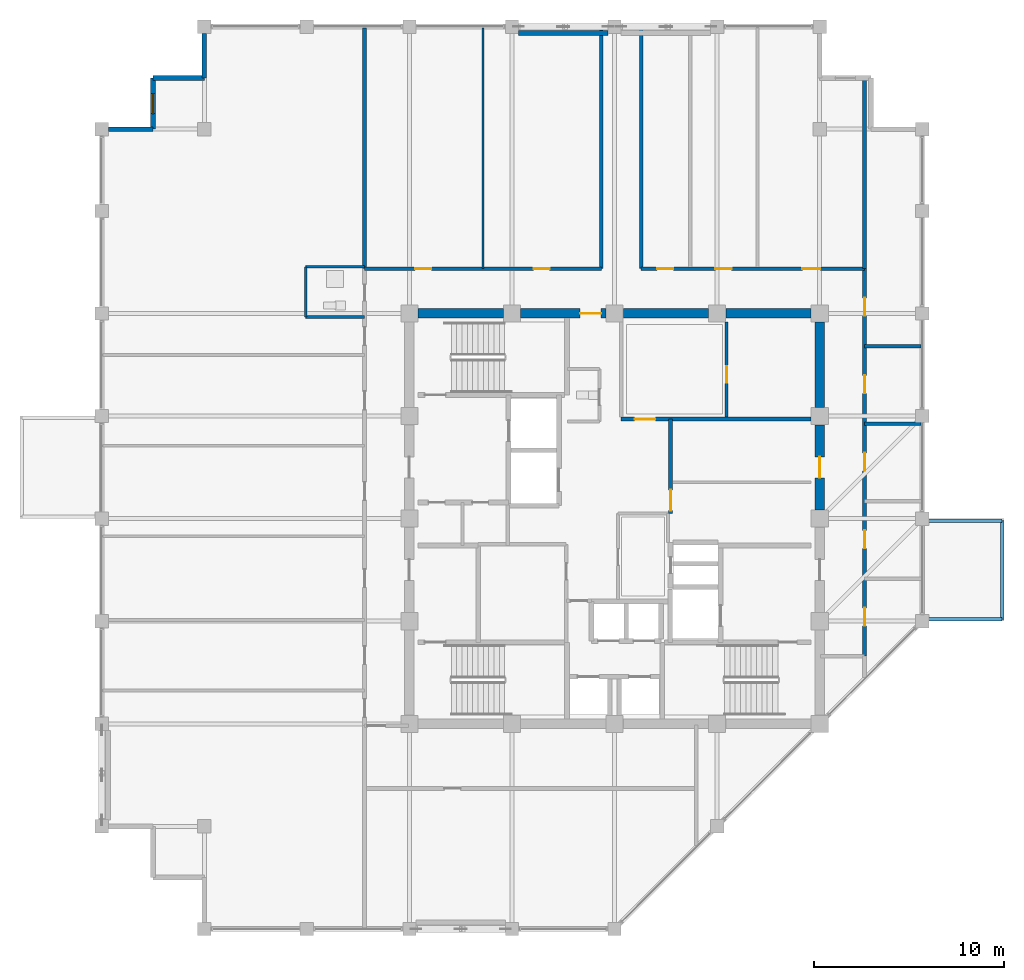
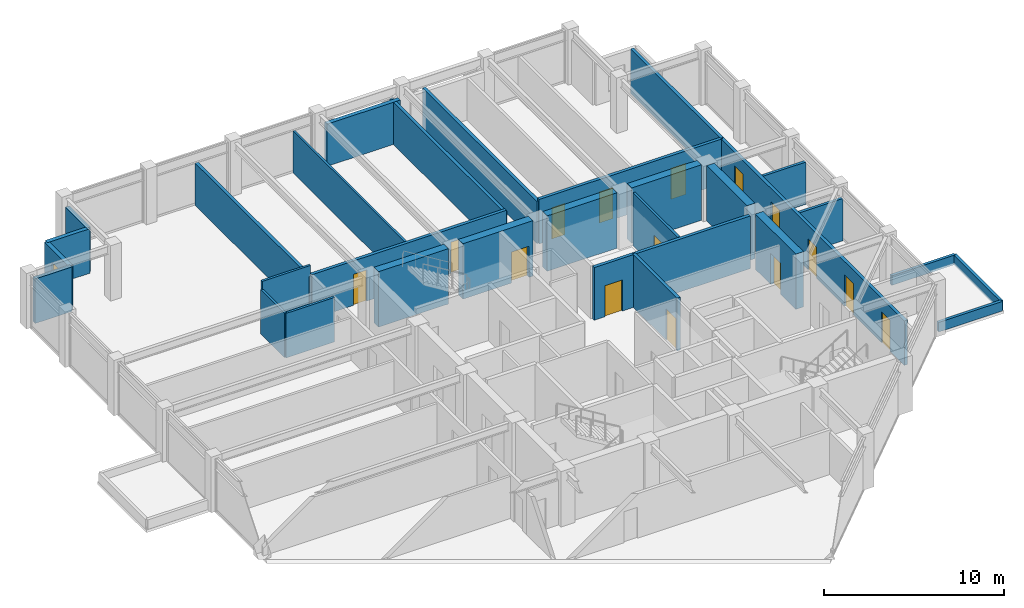
# One storey, part 26 of 29: 30 walls, 15 doors, 1 window, 16 openings.
"""IFC4 building model written with IfcOpenShell, lengths in metres."""

import ifcopenshell
import ifcopenshell.guid

model = None  # the IFC model being written
_history = None  # IfcOwnerHistory: only IFC2X3 demands one
_inside = {}  # id of a spatial element -> (the spatial element, [elements in it])
_under = {}  # id of a project, library or spatial element -> (it, [spatial elements below it])
_declared = {}  # id of a project -> (the project, [libraries it declares])
_typed = {}  # id of a type object -> (the type object, [elements of that type])
_made_of = {}  # id of a material, layer set ... -> (it, [elements and type objects made of it])


def new_model(schema):
    """Start an empty IFC model of exactly this schema.

    Asked for "IFC4X3", IfcOpenShell would pick the latest addendum, in which some entities
    have other attributes; the version numbers below select the first issue.
    IFC2X3 requires an IfcOwnerHistory on every rooted entity: one is made here for all.
    """
    global model, _history
    if schema == "IFC4X3":
        model = ifcopenshell.file(schema_version=(4, 3, 0, 0))
    else:
        model = ifcopenshell.file(schema=schema)
    _inside.clear()
    _under.clear()
    _declared.clear()
    _typed.clear()
    _made_of.clear()
    _history = None
    if model.schema == "IFC2X3":
        org = make("IfcOrganization", Name="unknown")
        user = make(
            "IfcPersonAndOrganization",
            ThePerson=make("IfcPerson", FamilyName="unknown"),
            TheOrganization=org,
        )
        app = make(
            "IfcApplication",
            ApplicationDeveloper=org,
            Version="unknown",
            ApplicationFullName="unknown",
            ApplicationIdentifier="unknown",
        )
        _history = make(
            "IfcOwnerHistory",
            OwningUser=user,
            OwningApplication=app,
            ChangeAction="ADDED",
            CreationDate=0,
        )
    return model


def make(cls, **values):
    """One entity of the class cls with the attributes given. An attribute that is None is left unset."""
    return model.create_entity(
        cls, **{name: value for name, value in values.items() if value is not None}
    )


def rooted(cls, **values):
    """An entity with a GlobalId (a new one), such as an element, a storey or a relation."""
    return make(cls, GlobalId=ifcopenshell.guid.new(), OwnerHistory=_history, **values)


def si_unit(unit_type, name, prefix=None):
    """IfcSIUnit, for example si_unit("LENGTHUNIT", "METRE", prefix="MILLI")."""
    return make("IfcSIUnit", UnitType=unit_type, Prefix=prefix, Name=name)


def assignment(units):
    """IfcUnitAssignment: the units of a project."""
    return None if units is None else make("IfcUnitAssignment", Units=units)


def point(xyz):
    """IfcCartesianPoint."""
    return None if xyz is None else make("IfcCartesianPoint", Coordinates=xyz)


def direction(xyz):
    """IfcDirection."""
    return None if xyz is None else make("IfcDirection", DirectionRatios=xyz)


def frame(location, z_axis=None, x_axis=None):
    """IfcAxis2Placement3D, a coordinate frame: its origin and axes. An axis left out is left unset."""
    return make(
        "IfcAxis2Placement3D",
        Location=point(location),
        Axis=direction(z_axis),
        RefDirection=direction(x_axis),
    )


def frame_2d(location, x_axis=None):
    """IfcAxis2Placement2D, a coordinate frame in the plane: its origin and x axis."""
    return make(
        "IfcAxis2Placement2D", Location=point(location), RefDirection=direction(x_axis)
    )


def origin():
    """The frame at (0, 0, 0) with its axes left unset."""
    return frame((0.0, 0.0, 0.0))


def place(relative_to, where):
    """IfcLocalPlacement: puts the frame where relative to a parent placement (None: the world)."""
    return make(
        "IfcLocalPlacement", PlacementRelTo=relative_to, RelativePlacement=where
    )


def context(
    kind, dimensions, precision=None, world=None, true_north=None, identifier=None
):
    """IfcGeometricRepresentationContext, for example the 3D "Model" context."""
    return make(
        "IfcGeometricRepresentationContext",
        ContextIdentifier=identifier,
        ContextType=kind,
        CoordinateSpaceDimension=dimensions,
        Precision=precision,
        WorldCoordinateSystem=world,
        TrueNorth=true_north,
    )


def subcontext(parent, identifier, kind, view, scale=None):
    """IfcGeometricRepresentationSubContext, for example "Body" below "Model"."""
    return make(
        "IfcGeometricRepresentationSubContext",
        ContextIdentifier=identifier,
        ContextType=kind,
        ParentContext=parent,
        TargetScale=scale,
        TargetView=view,
    )


def project(units=None, contexts=None):
    """IfcProject with its units and contexts."""
    return rooted(
        "IfcProject",
        Name="project",
        RepresentationContexts=contexts,
        UnitsInContext=assignment(units),
    )


def spatial(cls, under=None, at=None, **own):
    """A site, building, storey or space (cls), placed at a placement, below another one or the project."""
    s = rooted(cls, ObjectPlacement=at, **own)
    if under is not None:
        _under.setdefault(under.id(), (under, []))[1].append(s)
    return s


def profile(cls, at=None, kind="AREA", **sizes):
    """A parametric profile (cls). Its sizes go by their IFC names, for example OverallWidth=200.0."""
    return make(cls, ProfileType=kind, Position=at, **sizes)


def rectangle(**sizes):
    """IfcRectangleProfileDef."""
    return profile("IfcRectangleProfileDef", **sizes)


def extrude(swept, where, along, depth):
    """IfcExtrudedAreaSolid: the profile swept, set in the frame where, extruded along a direction by depth."""
    return make(
        "IfcExtrudedAreaSolid",
        SweptArea=swept,
        Position=where,
        ExtrudedDirection=direction(along),
        Depth=depth,
    )


def shape(context_of_items, identifier, shape_type, items):
    """IfcShapeRepresentation: the items that make up one representation, for example the "Body"."""
    return make(
        "IfcShapeRepresentation",
        ContextOfItems=context_of_items,
        RepresentationIdentifier=identifier,
        RepresentationType=shape_type,
        Items=items,
    )


def material(Name=None, Category=None):
    """IfcMaterial."""
    return make("IfcMaterial", Name=Name, Category=Category)


def layer(
    of_material, thickness, ventilated=None, Name=None, Category=None, Priority=None
):
    """IfcMaterialLayer: one layer of a wall or slab, of a material (None: an air gap)."""
    return make(
        "IfcMaterialLayer",
        Material=of_material,
        LayerThickness=thickness,
        IsVentilated=ventilated,
        Name=Name,
        Category=Category,
        Priority=Priority,
    )


def layer_set(layers, Name=None):
    """IfcMaterialLayerSet."""
    return make("IfcMaterialLayerSet", MaterialLayers=layers, LayerSetName=Name)


def made_of(thing, what):
    """Note that an element or type object is made of a material, layer set ...; save() writes the relation."""
    if what is not None:
        _made_of.setdefault(what.id(), (what, []))[1].append(thing)
    return thing


def type_object(cls, material=None, **own):
    """A type object (cls), such as IfcWallType, which elements share."""
    return made_of(rooted(cls, **own), material)


def element(
    cls,
    number,
    at=None,
    inside=None,
    cuts=None,
    type_object=None,
    material=None,
    context=None,
    identifier="Body",
    shape_type=None,
    held_by="IfcProductDefinitionShape",
    body=None,
    shapes=None,
    **own,
):
    """One element of the class cls, such as IfcWall. Its Tag is "e" and its number.

    at: its placement. inside: the storey or other place that contains it. cuts: it is an
    opening in that element (IfcRelVoidsElement). A single representation is given by context,
    identifier, shape_type and body (its items); several are given by shapes. held_by: the class
    of the entity that holds the representations. save() writes the other relations.
    """
    e = rooted(cls, Tag="e%d" % number, ObjectPlacement=at, **own)
    if body is not None:
        shapes = [shape(context, identifier, shape_type, body)]
    if shapes is not None:
        e.Representation = make(held_by, Representations=shapes)
    if inside is not None:
        _inside.setdefault(inside.id(), (inside, []))[1].append(e)
    if cuts is not None:
        rooted(
            "IfcRelVoidsElement", RelatingBuildingElement=cuts, RelatedOpeningElement=e
        )
    if type_object is not None:
        _typed.setdefault(type_object.id(), (type_object, []))[1].append(e)
    return made_of(e, material)


def fill(opening, filler):
    """IfcRelFillsElement: the door or window that sits in an opening."""
    return rooted(
        "IfcRelFillsElement",
        RelatingOpeningElement=opening,
        RelatedBuildingElement=filler,
    )


def aggregate(whole, parts):
    """IfcRelAggregates: a whole, such as a stair, and the parts it consists of."""
    return rooted("IfcRelAggregates", RelatingObject=whole, RelatedObjects=parts)


def save(model, path):
    """Write the relations noted so far, then the file.

    IfcRelAggregates (storeys below a building ...), IfcRelContainedInSpatialStructure (elements
    in a storey), IfcRelDefinesByType, IfcRelAssociatesMaterial and IfcRelDeclares: one each for
    every whole, place, type object, material and project.
    """
    for whole, parts in _under.values():
        aggregate(whole, parts)
    for where, things in _inside.values():
        rooted(
            "IfcRelContainedInSpatialStructure",
            RelatedElements=things,
            RelatingStructure=where,
        )
    for kind, things in _typed.values():
        rooted("IfcRelDefinesByType", RelatedObjects=things, RelatingType=kind)
    for what, things in _made_of.values():
        rooted("IfcRelAssociatesMaterial", RelatedObjects=things, RelatingMaterial=what)
    for by, libraries in _declared.values():
        rooted("IfcRelDeclares", RelatingContext=by, RelatedDefinitions=libraries)
    model.write(path)


model = new_model("IFC4")

# Units and contexts
model_context = context("Model", 3, precision=1e-05, world=origin(), true_north=direction((0.0, 1.0)))
body_context = subcontext(model_context, "Body", "Model", "MODEL_VIEW")
ifc_project = project(units=[si_unit("LENGTHUNIT", "METRE"), si_unit("AREAUNIT", "SQUARE_METRE"), si_unit("VOLUMEUNIT", "CUBIC_METRE"), si_unit("PLANEANGLEUNIT", "RADIAN"), si_unit("MASSUNIT", "GRAM", prefix="KILO")], contexts=[model_context])

# Site, building, storey
site_placement = place(None, origin())
site = spatial("IfcSite", under=ifc_project, at=site_placement, CompositionType="ELEMENT")
building_placement = place(site_placement, origin())
building = spatial("IfcBuilding", under=site, at=building_placement, Name="Surkhivell Harbour Commons", CompositionType="ELEMENT")
storey_placement = place(building_placement, frame((0.0, 0.0, 326.25)))
storey = spatial("IfcBuildingStorey", under=building, at=storey_placement, Name="L85", CompositionType="ELEMENT", Elevation=326.25)

# Wall
ifc_material_1 = material(Name="Concrete C50/60", Category="concrete")
ifc_layer_1 = layer(ifc_material_1, 0.5)
ifc_layer_set_1 = layer_set([ifc_layer_1], Name="Concrete C50/60")
wall_type_1 = type_object("IfcWallType", Name="WAL-CORE-500", PredefinedType="SHEAR", material=ifc_layer_set_1)
wall_1_placement = place(storey_placement, frame((-10.340087890625, 10.800048828125, 0.0), z_axis=(0.0, 0.0, 1.0), x_axis=(1.0, 0.0, 0.0)))
element("IfcWall", 1, at=wall_1_placement, inside=storey, type_object=wall_type_1, Name="L85 Core Shear Wall North 1", PredefinedType="SHEAR", context=body_context, shape_type="SweptSolid", body=[
    extrude(rectangle(XDim=4.47998046875, YDim=0.5, at=frame_2d((2.239990234375, 0.0))), origin(), (0.0, 0.0, 1.0), 3.75),
])

# Wall, opening, door
wall_2_placement = place(storey_placement, frame((-4.93994140625, 10.800048828125, 0.0), z_axis=(0.0, 0.0, 1.0), x_axis=(1.0, 0.0, 0.0)))
wall_2 = element("IfcWall", 2, at=wall_2_placement, inside=storey, type_object=wall_type_1, Name="L85 Core Shear Wall North 2", PredefinedType="SHEAR", context=body_context, shape_type="SweptSolid", body=[
    extrude(rectangle(XDim=4.47998046875, YDim=0.5, at=frame_2d((2.239990234375, 0.0))), origin(), (0.0, 0.0, 1.0), 3.75),
])
opening_1_placement = place(wall_2_placement, frame((3.1298828125, 0.0, 0.0)))
opening_1 = element("IfcOpeningElement", 3, at=opening_1_placement, cuts=wall_2, Name="Opening ID-2", PredefinedType="OPENING", context=body_context, shape_type="SweptSolid", body=[
    extrude(rectangle(XDim=1.10009765625, YDim=2.10009765625, at=frame_2d((0.550048828125, 1.050048828125))), frame((0.0, 0.260009765625, 0.0), z_axis=(0.0, -1.0, 0.0), x_axis=(1.0, 0.0, 0.0)), (0.0, 0.0, 1.0), 0.52001953125),
])
ifc_material_2 = material(Name="Hardwood-veneered fire-rated door leaf", Category="wood")
door_type_1 = type_object("IfcDoorType", Name="DOR-FD60-1100", OperationType="NOTDEFINED", PredefinedType="DOOR", material=ifc_material_2)
door_1_placement = place(opening_1_placement, origin())
door_1 = element("IfcDoor", 4, at=door_1_placement, inside=storey, type_object=door_type_1, Name="L85 Central Core Lift Hall North Corridor Door", OperationType="SINGLE_SWING_LEFT", OverallHeight=2.10009765625, OverallWidth=1.10009765625, PredefinedType="DOOR", context=body_context, shape_type="SweptSolid", body=[
    extrude(rectangle(XDim=1.10009765625, YDim=2.10009765625, at=frame_2d((0.550048828125, 1.050048828125))), frame((0.0, 0.02490234375, 0.0), z_axis=(0.0, -1.0, 0.0), x_axis=(1.0, 0.0, 0.0)), (0.0, 0.0, 1.0), 0.050048828125),
])
fill(opening_1, door_1)

# Wall
wall_3_placement = place(storey_placement, frame((0.4599609375, 10.800048828125, 0.0), z_axis=(0.0, 0.0, 1.0), x_axis=(1.0, 0.0, 0.0)))
element("IfcWall", 5, at=wall_3_placement, inside=storey, type_object=wall_type_1, Name="L85 Core Shear Wall North 3", PredefinedType="SHEAR", context=body_context, shape_type="SweptSolid", body=[
    extrude(rectangle(XDim=4.47998046875, YDim=0.5, at=frame_2d((2.239990234375, 0.0))), origin(), (0.0, 0.0, 1.0), 3.75),
])

# Wall, opening, door
wall_4_placement = place(storey_placement, frame((10.800048828125, 0.4599609375, 0.0), z_axis=(0.0, 0.0, 1.0), x_axis=(0.0, 1.0, 0.0)))
wall_4 = element("IfcWall", 6, at=wall_4_placement, inside=storey, type_object=wall_type_1, Name="L85 Core Shear Wall East 3", PredefinedType="SHEAR", context=body_context, shape_type="SweptSolid", body=[
    extrude(rectangle(XDim=4.47998046875, YDim=0.5, at=frame_2d((2.239990234375, 0.0))), origin(), (0.0, 0.0, 1.0), 3.75),
])
opening_2_placement = place(wall_4_placement, frame((1.68994140625, 0.0, 0.0)))
opening_2 = element("IfcOpeningElement", 7, at=opening_2_placement, cuts=wall_4, Name="Opening ID-2", PredefinedType="OPENING", context=body_context, shape_type="SweptSolid", body=[
    extrude(rectangle(XDim=1.10009765625, YDim=2.10009765625, at=frame_2d((0.550048828125, 1.050048828125))), frame((0.0, 0.260009765625, 0.0), z_axis=(0.0, -1.0, 0.0), x_axis=(1.0, 0.0, 0.0)), (0.0, 0.0, 1.0), 0.52001953125),
])
door_2_placement = place(opening_2_placement, origin())
door_2 = element("IfcDoor", 8, at=door_2_placement, inside=storey, type_object=door_type_1, Name="L85 Quiet Study B East Door", OperationType="SINGLE_SWING_RIGHT", OverallHeight=2.10009765625, OverallWidth=1.10009765625, PredefinedType="DOOR", context=body_context, shape_type="SweptSolid", body=[
    extrude(rectangle(XDim=1.10009765625, YDim=2.10009765625, at=frame_2d((0.550048828125, 1.050048828125))), frame((0.0, 0.02490234375, 0.0), z_axis=(0.0, -1.0, 0.0), x_axis=(1.0, 0.0, 0.0)), (0.0, 0.0, 1.0), 0.050048828125),
])
fill(opening_2, door_2)

# Walls
for number, where, z_axis, x_axis, name in (
    (9, (5.860107421875, 10.800048828125, 0.0), (0.0, 0.0, 1.0), (1.0, 0.0, 0.0), "L85 Core Shear Wall North 4"),
    (10, (10.800048828125, 5.860107421875, 0.0), (0.0, 0.0, 1.0), (0.0, 1.0, 0.0), "L85 Core Shear Wall East 4"),
):
    element("IfcWall", number, at=place(storey_placement, frame(where, z_axis=z_axis, x_axis=x_axis)), inside=storey, type_object=wall_type_1, Name=name, PredefinedType="SHEAR", context=body_context, shape_type="SweptSolid", body=[
        extrude(rectangle(XDim=4.47998046875, YDim=0.5, at=frame_2d((2.239990234375, 0.0))), origin(), (0.0, 0.0, 1.0), 3.75),
    ])
ifc_material_3 = material(Name="Pale-metal insulated precast concrete C45/55", Category="concrete")
ifc_layer_2 = layer(ifc_material_3, 0.260009765625)
ifc_layer_set_2 = layer_set([ifc_layer_2], Name="Pale-metal insulated precast concrete C45/55")
wall_type_2 = type_object("IfcWallType", Name="WAL-EXT-MTL260", PredefinedType="STANDARD", material=ifc_layer_set_2)
wall_5_placement = place(storey_placement, frame((-0.347900390625, 25.56494140625, 0.0), z_axis=(0.0, 0.0, 1.0), x_axis=(-1.0, 0.0, 0.0)))
element("IfcWall", 11, at=wall_5_placement, inside=storey, type_object=wall_type_2, Name="L85 Braced-Bay Insulated Spandrel Backing N", PredefinedType="STANDARD", context=body_context, shape_type="SweptSolid", body=[
    extrude(rectangle(XDim=4.7041015625, YDim=0.260009765625, at=frame_2d((2.35205078125, 0.0))), origin(), (0.0, 0.0, 1.0), 2.85693359375),
])
wall_6_placement = place(storey_placement, frame((-21.60009765625, 25.552001953125, 0.0), z_axis=(0.0, 0.0, 1.0), x_axis=(0.0, -1.0, 0.0)))
element("IfcWall", 12, at=wall_6_placement, inside=storey, type_object=wall_type_2, Name="L85 Serrated Corner Facade Wall 08", PredefinedType="STANDARD", context=body_context, shape_type="SweptSolid", body=[
    extrude(rectangle(XDim=2.35205078125, YDim=0.260009765625, at=frame_2d((1.176025390625, 0.0))), origin(), (0.0, 0.0, 1.0), 3.012939453125),
])
wall_7_placement = place(storey_placement, frame((-21.60009765625, 23.199951171875, 0.0), z_axis=(0.0, 0.0, 1.0), x_axis=(-1.0, 0.0, 0.0)))
element("IfcWall", 13, at=wall_7_placement, inside=storey, type_object=wall_type_2, Name="L85 Serrated Corner Facade Wall 09", PredefinedType="STANDARD", context=body_context, shape_type="SweptSolid", body=[
    extrude(rectangle(XDim=2.699951171875, YDim=0.260009765625, at=frame_2d((1.35009765625, 0.0))), origin(), (0.0, 0.0, 1.0), 3.012939453125),
])

# Wall, opening, window
wall_8_placement = place(storey_placement, frame((-24.300048828125, 23.199951171875, 0.0), z_axis=(0.0, 0.0, 1.0), x_axis=(0.0, -1.0, 0.0)))
wall_8 = element("IfcWall", 14, at=wall_8_placement, inside=storey, type_object=wall_type_2, Name="L85 Serrated Corner Facade Wall 10", PredefinedType="STANDARD", context=body_context, shape_type="SweptSolid", body=[
    extrude(rectangle(XDim=2.699951171875, YDim=0.260009765625, at=frame_2d((1.35009765625, 0.0))), origin(), (0.0, 0.0, 1.0), 3.012939453125),
])
opening_3_placement = place(wall_8_placement, frame((0.824951171875, 0.0, 0.64990234375)))
opening_3 = element("IfcOpeningElement", 15, at=opening_3_placement, cuts=wall_8, Name="Opening WN-11", PredefinedType="OPENING", context=body_context, shape_type="SweptSolid", body=[
    extrude(rectangle(XDim=1.050048828125, YDim=1.5, at=frame_2d((0.52490234375, 0.75))), frame((0.0, 0.139892578125, 0.0), z_axis=(0.0, -1.0, 0.0), x_axis=(1.0, 0.0, 0.0)), (0.0, 0.0, 1.0), 0.280029296875),
])
ifc_material_4 = material(Name="Thermal-break aluminium frame and double low-E glazing", Category="aluminium")
window_type = type_object("IfcWindowType", Name="WIN-SER-1050x1500", PartitioningType="SINGLE_PANEL", PredefinedType="WINDOW", material=ifc_material_4)
window_placement = place(opening_3_placement, origin())
window = element("IfcWindow", 16, at=window_placement, inside=storey, type_object=window_type, Name="L85 Serrated Alcove Window 10", OverallHeight=1.5, OverallWidth=1.050048828125, PartitioningType="SINGLE_PANEL", PredefinedType="WINDOW", context=body_context, shape_type="SweptSolid", body=[
    extrude(rectangle(XDim=1.050048828125, YDim=1.5, at=frame_2d((0.52490234375, 0.75))), frame((0.0, 0.030029296875, 0.0), z_axis=(0.0, -1.0, 0.0), x_axis=(1.0, 0.0, 0.0)), (0.0, 0.0, 1.0), 0.06005859375),
])
fill(opening_3, window)

# Walls
wall_9_placement = place(storey_placement, frame((-24.300048828125, 20.5, 0.0), z_axis=(0.0, 0.0, 1.0), x_axis=(-1.0, 0.0, 0.0)))
element("IfcWall", 17, at=wall_9_placement, inside=storey, type_object=wall_type_2, Name="L85 Serrated Corner Facade Wall 11", PredefinedType="STANDARD", context=body_context, shape_type="SweptSolid", body=[
    extrude(rectangle(XDim=2.35205078125, YDim=0.260009765625, at=frame_2d((1.176025390625, 0.0))), origin(), (0.0, 0.0, 1.0), 3.012939453125),
])
ifc_material_5 = material(Name="Moisture-resistant acoustic stud partition", Category="other")
ifc_layer_3 = layer(ifc_material_5, 0.125)
ifc_layer_set_3 = layer_set([ifc_layer_3], Name="Moisture-resistant acoustic stud partition")
wall_type_3 = type_object("IfcWallType", Name="WAL-INT-125", PredefinedType="PARTITIONING", material=ifc_layer_set_3)
wall_10_placement = place(storey_placement, frame((-6.929931640625, 13.159912109375, 0.0), z_axis=(0.0, 0.0, 1.0), x_axis=(0.0, 1.0, 0.0)))
element("IfcWall", 18, at=wall_10_placement, inside=storey, type_object=wall_type_3, Name="L85 North-West Partition P1", PredefinedType="PARTITIONING", context=body_context, shape_type="SweptSolid", body=[
    extrude(rectangle(XDim=12.68017578125, YDim=0.125, at=frame_2d((6.340087890625, 0.0))), origin(), (0.0, 0.0, 1.0), 2.85693359375),
])

# Wall, opening, door
ifc_material_6 = material(Name="Twin-stud acoustic fireboard partition", Category="other")
ifc_layer_4 = layer(ifc_material_6, 0.14990234375)
ifc_layer_set_4 = layer_set([ifc_layer_4], Name="Twin-stud acoustic fireboard partition")
wall_type_4 = type_object("IfcWallType", Name="WAL-INT-150", PredefinedType="PARTITIONING", material=ifc_layer_set_4)
wall_11_placement = place(storey_placement, frame((5.89990234375, 5.360107421875, 0.0), z_axis=(0.0, 0.0, 1.0), x_axis=(0.0, 1.0, 0.0)))
wall_11 = element("IfcWall", 19, at=wall_11_placement, inside=storey, type_object=wall_type_4, Name="L85 Study Pod Wall 1", PredefinedType="PARTITIONING", context=body_context, shape_type="SweptSolid", body=[
    extrude(rectangle(XDim=4.97998046875, YDim=0.14990234375, at=frame_2d((2.489990234375, 0.0))), origin(), (0.0, 0.0, 1.0), 3.570068359375),
])
opening_4_placement = place(wall_11_placement, frame((1.800048828125, 0.0, 0.0)))
opening_4 = element("IfcOpeningElement", 20, at=opening_4_placement, cuts=wall_11, Name="Opening ID-6", PredefinedType="OPENING", context=body_context, shape_type="SweptSolid", body=[
    extrude(rectangle(XDim=0.85009765625, YDim=2.10009765625, at=frame_2d((0.425048828125, 1.050048828125))), frame((0.0, 0.0849609375, 0.0), z_axis=(0.0, -1.0, 0.0), x_axis=(1.0, 0.0, 0.0)), (0.0, 0.0, 1.0), 0.169921875),
])
door_type_2 = type_object("IfcDoorType", Name="DOR-FD30-850", OperationType="NOTDEFINED", PredefinedType="DOOR", material=ifc_material_2)
door_3_placement = place(opening_4_placement, origin())
door_3 = element("IfcDoor", 21, at=door_3_placement, inside=storey, type_object=door_type_2, Name="L85 Core Music Door", OperationType="SINGLE_SWING_RIGHT", OverallHeight=2.10009765625, OverallWidth=0.85009765625, PredefinedType="DOOR", context=body_context, shape_type="SweptSolid", body=[
    extrude(rectangle(XDim=0.85009765625, YDim=2.10009765625, at=frame_2d((0.425048828125, 1.050048828125))), frame((0.0, 0.02490234375, 0.0), z_axis=(0.0, -1.0, 0.0), x_axis=(1.0, 0.0, 0.0)), (0.0, 0.0, 1.0), 0.050048828125),
])
fill(opening_4, door_3)

# Walls
wall_12_placement = place(storey_placement, frame((-16.260009765625, 10.610107421875, 0.0), z_axis=(0.0, 0.0, 1.0), x_axis=(0.0, 1.0, 0.0)))
element("IfcWall", 22, at=wall_12_placement, inside=storey, type_object=wall_type_4, Name="L85 West Partition BTHB", PredefinedType="PARTITIONING", context=body_context, shape_type="SweptSolid", body=[
    extrude(rectangle(XDim=2.64990234375, YDim=0.14990234375, at=frame_2d((1.324951171875, 0.0))), origin(), (0.0, 0.0, 1.0), 3.012939453125),
])
wall_13_placement = place(storey_placement, frame((-16.260009765625, 13.260009765625, 0.0), z_axis=(0.0, 0.0, 1.0), x_axis=(1.0, 0.0, 0.0)))
element("IfcWall", 23, at=wall_13_placement, inside=storey, type_object=wall_type_4, Name="L85 West Partition BTHN", PredefinedType="PARTITIONING", context=body_context, shape_type="SweptSolid", body=[
    extrude(rectangle(XDim=3.10009765625, YDim=0.14990234375, at=frame_2d((1.550048828125, 0.0))), origin(), (0.0, 0.0, 1.0), 3.570068359375),
])
wall_14_placement = place(storey_placement, frame((-16.260009765625, 10.610107421875, 0.0), z_axis=(0.0, 0.0, 1.0), x_axis=(1.0, 0.0, 0.0)))
element("IfcWall", 24, at=wall_14_placement, inside=storey, type_object=wall_type_4, Name="L85 West Partition BTHS", PredefinedType="PARTITIONING", context=body_context, shape_type="SweptSolid", body=[
    extrude(rectangle(XDim=3.10009765625, YDim=0.14990234375, at=frame_2d((1.550048828125, 0.0))), origin(), (0.0, 0.0, 1.0), 3.012939453125),
])
ifc_material_7 = material(Name="High-density acoustic blockwork fire partition", Category="masonry")
ifc_layer_5 = layer(ifc_material_7, 0.175048828125)
ifc_layer_set_5 = layer_set([ifc_layer_5], Name="High-density acoustic blockwork fire partition")
wall_type_5 = type_object("IfcWallType", Name="WAL-INT-175", PredefinedType="PARTITIONING", material=ifc_layer_set_5)
for number, where, z_axis, x_axis, name in (
    (25, (13.159912109375, 5.0, 0.0), (0.0, 0.0, 1.0), (1.0, 0.0, 0.0), "L85 East Partition P3"),
    (26, (13.159912109375, 9.080078125, 0.0), (0.0, 0.0, 1.0), (1.0, 0.0, 0.0), "L85 East Partition P4"),
):
    element("IfcWall", number, at=place(storey_placement, frame(where, z_axis=z_axis, x_axis=x_axis)), inside=storey, type_object=wall_type_5, Name=name, PredefinedType="PARTITIONING", context=body_context, shape_type="SweptSolid", body=[
        extrude(rectangle(XDim=2.97998046875, YDim=0.175048828125, at=frame_2d((1.489990234375, 0.0))), origin(), (0.0, 0.0, 1.0), 2.85693359375),
    ])

# Wall, opening, door
ifc_material_8 = material(Name="Autoclaved aerated concrete blockwork and fire plaster", Category="masonry")
ifc_layer_6 = layer(ifc_material_8, 0.199951171875)
ifc_layer_set_6 = layer_set([ifc_layer_6], Name="Autoclaved aerated concrete blockwork and fire plaster")
wall_type_6 = type_object("IfcWallType", Name="WAL-INT-200", PredefinedType="PARTITIONING", material=ifc_layer_set_6)
wall_15_placement = place(storey_placement, frame((0.35009765625, 5.239990234375, 0.0), z_axis=(0.0, 0.0, 1.0), x_axis=(1.0, 0.0, 0.0)))
wall_15 = element("IfcWall", 27, at=wall_15_placement, inside=storey, type_object=wall_type_6, Name="L85 Reclaimed Core North Bay South Wall", PredefinedType="PARTITIONING", context=body_context, shape_type="SweptSolid", body=[
    extrude(rectangle(XDim=9.989990234375, YDim=0.199951171875, at=frame_2d((4.9951171875, 0.0))), origin(), (0.0, 0.0, 1.0), 3.570068359375),
])
opening_5_placement = place(wall_15_placement, frame((0.699951171875, 0.0, 0.0)))
opening_5 = element("IfcOpeningElement", 28, at=opening_5_placement, cuts=wall_15, Name="Opening ID-2", PredefinedType="OPENING", context=body_context, shape_type="SweptSolid", body=[
    extrude(rectangle(XDim=1.10009765625, YDim=2.10009765625, at=frame_2d((0.550048828125, 1.050048828125))), frame((0.0, 0.10986328125, 0.0), z_axis=(0.0, -1.0, 0.0), x_axis=(1.0, 0.0, 0.0)), (0.0, 0.0, 1.0), 0.219970703125),
])
door_4_placement = place(opening_5_placement, origin())
door_4 = element("IfcDoor", 29, at=door_4_placement, inside=storey, type_object=door_type_1, Name="L85 Core Seminar Door", OperationType="SINGLE_SWING_LEFT", OverallHeight=2.10009765625, OverallWidth=1.10009765625, PredefinedType="DOOR", context=body_context, shape_type="SweptSolid", body=[
    extrude(rectangle(XDim=1.10009765625, YDim=2.10009765625, at=frame_2d((0.550048828125, 1.050048828125))), frame((0.0, 0.02490234375, 0.0), z_axis=(0.0, -1.0, 0.0), x_axis=(1.0, 0.0, 0.0)), (0.0, 0.0, 1.0), 0.050048828125),
])
fill(opening_5, door_4)

# Walls
wall_16_placement = place(storey_placement, frame((13.159912109375, 13.159912109375, 0.0), z_axis=(0.0, 0.0, 1.0), x_axis=(0.0, 1.0, 0.0)))
element("IfcWall", 30, at=wall_16_placement, inside=storey, type_object=wall_type_6, Name="L85 North-East Corner Wall", PredefinedType="PARTITIONING", context=body_context, shape_type="SweptSolid", body=[
    extrude(rectangle(XDim=9.97998046875, YDim=0.199951171875, at=frame_2d((4.989990234375, 0.0))), origin(), (0.0, 0.0, 1.0), 3.012939453125),
])
wall_17_placement = place(storey_placement, frame((-13.159912109375, 13.159912109375, 0.0), z_axis=(0.0, 0.0, 1.0), x_axis=(0.0, 1.0, 0.0)))
element("IfcWall", 31, at=wall_17_placement, inside=storey, type_object=wall_type_6, Name="L85 North-West Corner Wall", PredefinedType="PARTITIONING", context=body_context, shape_type="SweptSolid", body=[
    extrude(rectangle(XDim=12.68017578125, YDim=0.199951171875, at=frame_2d((6.340087890625, 0.0))), origin(), (0.0, 0.0, 1.0), 2.85693359375),
])

# Wall, openings, doors
wall_18_placement = place(storey_placement, frame((13.159912109375, -7.239990234375, 0.0), z_axis=(0.0, 0.0, 1.0), x_axis=(0.0, 1.0, 0.0)))
wall_18 = element("IfcWall", 32, at=wall_18_placement, inside=storey, type_object=wall_type_6, Name="L85 East Corridor Wall", PredefinedType="PARTITIONING", context=body_context, shape_type="SweptSolid", body=[
    extrude(rectangle(XDim=20.39990234375, YDim=0.199951171875, at=frame_2d((10.199951171875, 0.0))), origin(), (0.0, 0.0, 1.0), 3.012939453125),
])
opening_6_placement = place(wall_18_placement, frame((1.590087890625, 0.0, 0.0)))
opening_6 = element("IfcOpeningElement", 33, at=opening_6_placement, cuts=wall_18, Name="Opening ID-4", PredefinedType="OPENING", context=body_context, shape_type="SweptSolid", body=[
    extrude(rectangle(XDim=0.949951171875, YDim=2.10009765625, at=frame_2d((0.47509765625, 1.050048828125))), frame((0.0, 0.10986328125, 0.0), z_axis=(0.0, -1.0, 0.0), x_axis=(1.0, 0.0, 0.0)), (0.0, 0.0, 1.0), 0.219970703125),
])
opening_7_placement = place(wall_18_placement, frame((5.669921875, 0.0, 0.0)))
opening_7 = element("IfcOpeningElement", 34, at=opening_7_placement, cuts=wall_18, Name="Opening ID-4", PredefinedType="OPENING", context=body_context, shape_type="SweptSolid", body=[
    extrude(rectangle(XDim=0.949951171875, YDim=2.10009765625, at=frame_2d((0.47509765625, 1.050048828125))), frame((0.0, 0.10986328125, 0.0), z_axis=(0.0, -1.0, 0.0), x_axis=(1.0, 0.0, 0.0)), (0.0, 0.0, 1.0), 0.219970703125),
])
opening_8_placement = place(wall_18_placement, frame((9.75, 0.0, 0.0)))
opening_8 = element("IfcOpeningElement", 35, at=opening_8_placement, cuts=wall_18, Name="Opening ID-4", PredefinedType="OPENING", context=body_context, shape_type="SweptSolid", body=[
    extrude(rectangle(XDim=0.949951171875, YDim=2.10009765625, at=frame_2d((0.47509765625, 1.050048828125))), frame((0.0, 0.10986328125, 0.0), z_axis=(0.0, -1.0, 0.0), x_axis=(1.0, 0.0, 0.0)), (0.0, 0.0, 1.0), 0.219970703125),
])
opening_9_placement = place(wall_18_placement, frame((13.830078125, 0.0, 0.0)))
opening_9 = element("IfcOpeningElement", 36, at=opening_9_placement, cuts=wall_18, Name="Opening ID-4", PredefinedType="OPENING", context=body_context, shape_type="SweptSolid", body=[
    extrude(rectangle(XDim=0.949951171875, YDim=2.10009765625, at=frame_2d((0.47509765625, 1.050048828125))), frame((0.0, 0.10986328125, 0.0), z_axis=(0.0, -1.0, 0.0), x_axis=(1.0, 0.0, 0.0)), (0.0, 0.0, 1.0), 0.219970703125),
])
opening_10_placement = place(wall_18_placement, frame((17.909912109375, 0.0, 0.0)))
opening_10 = element("IfcOpeningElement", 37, at=opening_10_placement, cuts=wall_18, Name="Opening ID-4", PredefinedType="OPENING", context=body_context, shape_type="SweptSolid", body=[
    extrude(rectangle(XDim=0.949951171875, YDim=2.10009765625, at=frame_2d((0.47509765625, 1.050048828125))), frame((0.0, 0.10986328125, 0.0), z_axis=(0.0, -1.0, 0.0), x_axis=(1.0, 0.0, 0.0)), (0.0, 0.0, 1.0), 0.219970703125),
])
door_type_3 = type_object("IfcDoorType", Name="DOR-FD60-950", OperationType="NOTDEFINED", PredefinedType="DOOR", material=ifc_material_2)
door_5_placement = place(opening_6_placement, origin())
door_5 = element("IfcDoor", 38, at=door_5_placement, inside=storey, type_object=door_type_3, Name="L85 Co-Working Study Office Pod 1 East Door", OperationType="SINGLE_SWING_LEFT", OverallHeight=2.10009765625, OverallWidth=0.949951171875, PredefinedType="DOOR", context=body_context, shape_type="SweptSolid", body=[
    extrude(rectangle(XDim=0.949951171875, YDim=2.10009765625, at=frame_2d((0.47509765625, 1.050048828125))), frame((0.0, 0.02490234375, 0.0), z_axis=(0.0, -1.0, 0.0), x_axis=(1.0, 0.0, 0.0)), (0.0, 0.0, 1.0), 0.050048828125),
])
fill(opening_6, door_5)
door_6_placement = place(opening_7_placement, origin())
door_6 = element("IfcDoor", 39, at=door_6_placement, inside=storey, type_object=door_type_3, Name="L85 Academic Seminar Pod 2 East Door", OperationType="SINGLE_SWING_RIGHT", OverallHeight=2.10009765625, OverallWidth=0.949951171875, PredefinedType="DOOR", context=body_context, shape_type="SweptSolid", body=[
    extrude(rectangle(XDim=0.949951171875, YDim=2.10009765625, at=frame_2d((0.47509765625, 1.050048828125))), frame((0.0, 0.02490234375, 0.0), z_axis=(0.0, -1.0, 0.0), x_axis=(1.0, 0.0, 0.0)), (0.0, 0.0, 1.0), 0.050048828125),
])
fill(opening_7, door_6)
door_7_placement = place(opening_8_placement, origin())
door_7 = element("IfcDoor", 40, at=door_7_placement, inside=storey, type_object=door_type_3, Name="L85 Harbour Espresso Cafe Shop 3 East Door", OperationType="SINGLE_SWING_LEFT", OverallHeight=2.10009765625, OverallWidth=0.949951171875, PredefinedType="DOOR", context=body_context, shape_type="SweptSolid", body=[
    extrude(rectangle(XDim=0.949951171875, YDim=2.10009765625, at=frame_2d((0.47509765625, 1.050048828125))), frame((0.0, 0.02490234375, 0.0), z_axis=(0.0, -1.0, 0.0), x_axis=(1.0, 0.0, 0.0)), (0.0, 0.0, 1.0), 0.050048828125),
])
fill(opening_8, door_7)
door_8_placement = place(opening_9_placement, origin())
door_8 = element("IfcDoor", 41, at=door_8_placement, inside=storey, type_object=door_type_3, Name="L85 Zone Concierge Reception Foyer 4 East Door", OperationType="SINGLE_SWING_RIGHT", OverallHeight=2.10009765625, OverallWidth=0.949951171875, PredefinedType="DOOR", context=body_context, shape_type="SweptSolid", body=[
    extrude(rectangle(XDim=0.949951171875, YDim=2.10009765625, at=frame_2d((0.47509765625, 1.050048828125))), frame((0.0, 0.02490234375, 0.0), z_axis=(0.0, -1.0, 0.0), x_axis=(1.0, 0.0, 0.0)), (0.0, 0.0, 1.0), 0.050048828125),
])
fill(opening_9, door_8)
door_9_placement = place(opening_10_placement, origin())
door_9 = element("IfcDoor", 42, at=door_9_placement, inside=storey, type_object=door_type_3, Name="L85 Shared Communal Kitchen 5 East Door", OperationType="SINGLE_SWING_LEFT", OverallHeight=2.10009765625, OverallWidth=0.949951171875, PredefinedType="DOOR", context=body_context, shape_type="SweptSolid", body=[
    extrude(rectangle(XDim=0.949951171875, YDim=2.10009765625, at=frame_2d((0.47509765625, 1.050048828125))), frame((0.0, 0.02490234375, 0.0), z_axis=(0.0, -1.0, 0.0), x_axis=(1.0, 0.0, 0.0)), (0.0, 0.0, 1.0), 0.050048828125),
])
fill(opening_10, door_9)

wall_19_placement = place(storey_placement, frame((-13.159912109375, 13.159912109375, 0.0), z_axis=(0.0, 0.0, 1.0), x_axis=(1.0, 0.0, 0.0)))
wall_19 = element("IfcWall", 43, at=wall_19_placement, inside=storey, type_object=wall_type_6, Name="L85 North-West Corridor Wall", PredefinedType="PARTITIONING", context=body_context, shape_type="SweptSolid", body=[
    extrude(rectangle(XDim=12.4599609375, YDim=0.199951171875, at=frame_2d((6.22998046875, 0.0))), origin(), (0.0, 0.0, 1.0), 3.012939453125),
])
opening_11_placement = place(wall_19_placement, frame((2.6650390625, 0.0, 0.0)))
opening_11 = element("IfcOpeningElement", 44, at=opening_11_placement, cuts=wall_19, Name="Opening ID-6", PredefinedType="OPENING", context=body_context, shape_type="SweptSolid", body=[
    extrude(rectangle(XDim=0.85009765625, YDim=2.10009765625, at=frame_2d((0.425048828125, 1.050048828125))), frame((0.0, 0.10986328125, 0.0), z_axis=(0.0, -1.0, 0.0), x_axis=(1.0, 0.0, 0.0)), (0.0, 0.0, 1.0), 0.219970703125),
])
opening_12_placement = place(wall_19_placement, frame((8.89501953125, 0.0, 0.0)))
opening_12 = element("IfcOpeningElement", 45, at=opening_12_placement, cuts=wall_19, Name="Opening ID-6", PredefinedType="OPENING", context=body_context, shape_type="SweptSolid", body=[
    extrude(rectangle(XDim=0.85009765625, YDim=2.10009765625, at=frame_2d((0.425048828125, 1.050048828125))), frame((0.0, 0.10986328125, 0.0), z_axis=(0.0, -1.0, 0.0), x_axis=(1.0, 0.0, 0.0)), (0.0, 0.0, 1.0), 0.219970703125),
])
door_10_placement = place(opening_11_placement, origin())
door_10 = element("IfcDoor", 46, at=door_10_placement, inside=storey, type_object=door_type_2, Name="L85 Campus Co-Op Bookshop North-West Door", OperationType="SINGLE_SWING_RIGHT", OverallHeight=2.10009765625, OverallWidth=0.85009765625, PredefinedType="DOOR", context=body_context, shape_type="SweptSolid", body=[
    extrude(rectangle(XDim=0.85009765625, YDim=2.10009765625, at=frame_2d((0.425048828125, 1.050048828125))), frame((0.0, 0.02490234375, 0.0), z_axis=(0.0, -1.0, 0.0), x_axis=(1.0, 0.0, 0.0)), (0.0, 0.0, 1.0), 0.050048828125),
])
fill(opening_11, door_10)
door_11_placement = place(opening_12_placement, origin())
door_11 = element("IfcDoor", 47, at=door_11_placement, inside=storey, type_object=door_type_2, Name="L85 Harbour Espresso Cafe Shop North-West Door", OperationType="SINGLE_SWING_LEFT", OverallHeight=2.10009765625, OverallWidth=0.85009765625, PredefinedType="DOOR", context=body_context, shape_type="SweptSolid", body=[
    extrude(rectangle(XDim=0.85009765625, YDim=2.10009765625, at=frame_2d((0.425048828125, 1.050048828125))), frame((0.0, 0.02490234375, 0.0), z_axis=(0.0, -1.0, 0.0), x_axis=(1.0, 0.0, 0.0)), (0.0, 0.0, 1.0), 0.050048828125),
])
fill(opening_12, door_11)

wall_20_placement = place(storey_placement, frame((1.39990234375, 13.159912109375, 0.0), z_axis=(0.0, 0.0, 1.0), x_axis=(1.0, 0.0, 0.0)))
wall_20 = element("IfcWall", 48, at=wall_20_placement, inside=storey, type_object=wall_type_6, Name="L85 North-East Corridor Wall", PredefinedType="PARTITIONING", context=body_context, shape_type="SweptSolid", body=[
    extrude(rectangle(XDim=11.760009765625, YDim=0.199951171875, at=frame_2d((5.8798828125, 0.0))), origin(), (0.0, 0.0, 1.0), 3.012939453125),
])
opening_13_placement = place(wall_20_placement, frame((0.844970703125, 0.0, 0.0)))
opening_13 = element("IfcOpeningElement", 49, at=opening_13_placement, cuts=wall_20, Name="Opening ID-6", PredefinedType="OPENING", context=body_context, shape_type="SweptSolid", body=[
    extrude(rectangle(XDim=0.85009765625, YDim=2.10009765625, at=frame_2d((0.425048828125, 1.050048828125))), frame((0.0, 0.10986328125, 0.0), z_axis=(0.0, -1.0, 0.0), x_axis=(1.0, 0.0, 0.0)), (0.0, 0.0, 1.0), 0.219970703125),
])
opening_14_placement = place(wall_20_placement, frame((3.905029296875, 0.0, 0.0)))
opening_14 = element("IfcOpeningElement", 50, at=opening_14_placement, cuts=wall_20, Name="Opening ID-6", PredefinedType="OPENING", context=body_context, shape_type="SweptSolid", body=[
    extrude(rectangle(XDim=0.85009765625, YDim=2.10009765625, at=frame_2d((0.425048828125, 1.050048828125))), frame((0.0, 0.10986328125, 0.0), z_axis=(0.0, -1.0, 0.0), x_axis=(1.0, 0.0, 0.0)), (0.0, 0.0, 1.0), 0.219970703125),
])
opening_15_placement = place(wall_20_placement, frame((8.489990234375, 0.0, 0.0)))
opening_15 = element("IfcOpeningElement", 51, at=opening_15_placement, cuts=wall_20, Name="Opening ID-4", PredefinedType="OPENING", context=body_context, shape_type="SweptSolid", body=[
    extrude(rectangle(XDim=0.949951171875, YDim=2.10009765625, at=frame_2d((0.47509765625, 1.050048828125))), frame((0.0, 0.10986328125, 0.0), z_axis=(0.0, -1.0, 0.0), x_axis=(1.0, 0.0, 0.0)), (0.0, 0.0, 1.0), 0.219970703125),
])
door_12_placement = place(opening_13_placement, origin())
door_12 = element("IfcDoor", 52, at=door_12_placement, inside=storey, type_object=door_type_2, Name="L85 Co-Working Study Office 1 North-East Door", OperationType="SINGLE_SWING_RIGHT", OverallHeight=2.10009765625, OverallWidth=0.85009765625, PredefinedType="DOOR", context=body_context, shape_type="SweptSolid", body=[
    extrude(rectangle(XDim=0.85009765625, YDim=2.10009765625, at=frame_2d((0.425048828125, 1.050048828125))), frame((0.0, 0.02490234375, 0.0), z_axis=(0.0, -1.0, 0.0), x_axis=(1.0, 0.0, 0.0)), (0.0, 0.0, 1.0), 0.050048828125),
])
fill(opening_13, door_12)
door_13_placement = place(opening_14_placement, origin())
door_13 = element("IfcDoor", 53, at=door_13_placement, inside=storey, type_object=door_type_2, Name="L85 Co-Working Study Office 2 North-East Door", OperationType="SINGLE_SWING_LEFT", OverallHeight=2.10009765625, OverallWidth=0.85009765625, PredefinedType="DOOR", context=body_context, shape_type="SweptSolid", body=[
    extrude(rectangle(XDim=0.85009765625, YDim=2.10009765625, at=frame_2d((0.425048828125, 1.050048828125))), frame((0.0, 0.02490234375, 0.0), z_axis=(0.0, -1.0, 0.0), x_axis=(1.0, 0.0, 0.0)), (0.0, 0.0, 1.0), 0.050048828125),
])
fill(opening_14, door_13)
door_14_placement = place(opening_15_placement, origin())
door_14 = element("IfcDoor", 54, at=door_14_placement, inside=storey, type_object=door_type_3, Name="L85 Co-Working Study Office 3 North-East Door", OperationType="SINGLE_SWING_RIGHT", OverallHeight=2.10009765625, OverallWidth=0.949951171875, PredefinedType="DOOR", context=body_context, shape_type="SweptSolid", body=[
    extrude(rectangle(XDim=0.949951171875, YDim=2.10009765625, at=frame_2d((0.47509765625, 1.050048828125))), frame((0.0, 0.02490234375, 0.0), z_axis=(0.0, -1.0, 0.0), x_axis=(1.0, 0.0, 0.0)), (0.0, 0.0, 1.0), 0.050048828125),
])
fill(opening_15, door_14)

# Walls
for number, where, z_axis, x_axis, name in (
    (55, (1.39990234375, 13.159912109375, 0.0), (0.0, 0.0, 1.0), (0.0, 1.0, 0.0), "L85 North Spur East Wall"),
    (56, (-0.699951171875, 13.159912109375, 0.0), (0.0, 0.0, 1.0), (0.0, 1.0, 0.0), "L85 North Spur West Wall"),
):
    element("IfcWall", number, at=place(storey_placement, frame(where, z_axis=z_axis, x_axis=x_axis)), inside=storey, type_object=wall_type_6, Name=name, PredefinedType="PARTITIONING", context=body_context, shape_type="SweptSolid", body=[
        extrude(rectangle(XDim=12.68017578125, YDim=0.199951171875, at=frame_2d((6.340087890625, 0.0))), origin(), (0.0, 0.0, 1.0), 2.85693359375),
    ])

# Wall, opening, door
wall_21_placement = place(storey_placement, frame((2.949951171875, 0.280029296875, 0.0), z_axis=(0.0, 0.0, 1.0), x_axis=(0.0, 1.0, 0.0)))
wall_21 = element("IfcWall", 57, at=wall_21_placement, inside=storey, type_object=wall_type_6, Name="L85 Reclaimed East Core West Wall", PredefinedType="PARTITIONING", context=body_context, shape_type="SweptSolid", body=[
    extrude(rectangle(XDim=4.9599609375, YDim=0.199951171875, at=frame_2d((2.47998046875, 0.0))), origin(), (0.0, 0.0, 1.0), 3.570068359375),
])
opening_16_placement = place(wall_21_placement, frame((0.139892578125, 0.0, 0.0)))
opening_16 = element("IfcOpeningElement", 58, at=opening_16_placement, cuts=wall_21, Name="Opening ID-2", PredefinedType="OPENING", context=body_context, shape_type="SweptSolid", body=[
    extrude(rectangle(XDim=1.10009765625, YDim=2.10009765625, at=frame_2d((0.550048828125, 1.050048828125))), frame((0.0, 0.10986328125, 0.0), z_axis=(0.0, -1.0, 0.0), x_axis=(1.0, 0.0, 0.0)), (0.0, 0.0, 1.0), 0.219970703125),
])
door_15_placement = place(opening_16_placement, origin())
door_15 = element("IfcDoor", 59, at=door_15_placement, inside=storey, type_object=door_type_1, Name="L85 Quiet Study A Door", OperationType="SINGLE_SWING_LEFT", OverallHeight=2.10009765625, OverallWidth=1.10009765625, PredefinedType="DOOR", context=body_context, shape_type="SweptSolid", body=[
    extrude(rectangle(XDim=1.10009765625, YDim=2.10009765625, at=frame_2d((0.550048828125, 1.050048828125))), frame((0.0, 0.02490234375, 0.0), z_axis=(0.0, -1.0, 0.0), x_axis=(1.0, 0.0, 0.0)), (0.0, 0.0, 1.0), 0.050048828125),
])
fill(opening_16, door_15)

# Walls
ifc_material_9 = material(Name="Anodised aluminium and precast concrete C40/50", Category="concrete")
ifc_layer_7 = layer(ifc_material_9, 0.18505859375)
ifc_layer_set_7 = layer_set([ifc_layer_7], Name="Anodised aluminium and precast concrete C40/50")
wall_type_7 = type_object("IfcWallType", Name="WAL-PAR-185", PredefinedType="PARAPET", material=ifc_layer_set_7)
wall_22_placement = place(storey_placement, frame((16.320068359375, -5.300048828125, 0.0), z_axis=(0.0, 0.0, 1.0), x_axis=(1.0, 0.0, 0.0)))
element("IfcWall", 60, at=wall_22_placement, inside=storey, type_object=wall_type_7, Name="L85 Box Roof Coping Parapet 1-1", PredefinedType="PARAPET", context=body_context, shape_type="SweptSolid", body=[
    extrude(rectangle(XDim=4.079833984375, YDim=0.18505859375, at=frame_2d((2.0400390625, 0.0))), origin(), (0.0, 0.0, 1.0), 0.64990234375),
])
wall_23_placement = place(storey_placement, frame((20.39990234375, -5.300048828125, 0.0), z_axis=(0.0, 0.0, 1.0), x_axis=(0.0, 1.0, 0.0)))
element("IfcWall", 61, at=wall_23_placement, inside=storey, type_object=wall_type_7, Name="L85 Box Roof Coping Parapet 1-2", PredefinedType="PARAPET", context=body_context, shape_type="SweptSolid", body=[
    extrude(rectangle(XDim=5.199951171875, YDim=0.18505859375, at=frame_2d((2.60009765625, 0.0))), origin(), (0.0, 0.0, 1.0), 0.64990234375),
])
wall_24_placement = place(storey_placement, frame((20.39990234375, -0.10009765625, 0.0), z_axis=(0.0, 0.0, 1.0), x_axis=(-1.0, 0.0, 0.0)))
element("IfcWall", 62, at=wall_24_placement, inside=storey, type_object=wall_type_7, Name="L85 Box Roof Coping Parapet 1-3", PredefinedType="PARAPET", context=body_context, shape_type="SweptSolid", body=[
    extrude(rectangle(XDim=4.079833984375, YDim=0.18505859375, at=frame_2d((2.0400390625, 0.0))), origin(), (0.0, 0.0, 1.0), 0.64990234375),
])

save(model, "model.ifc")
